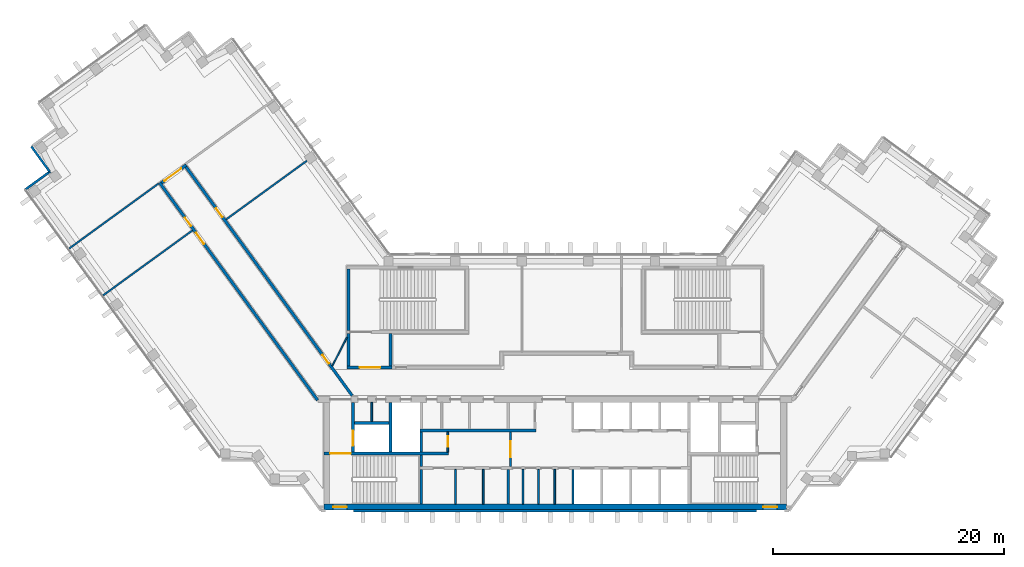
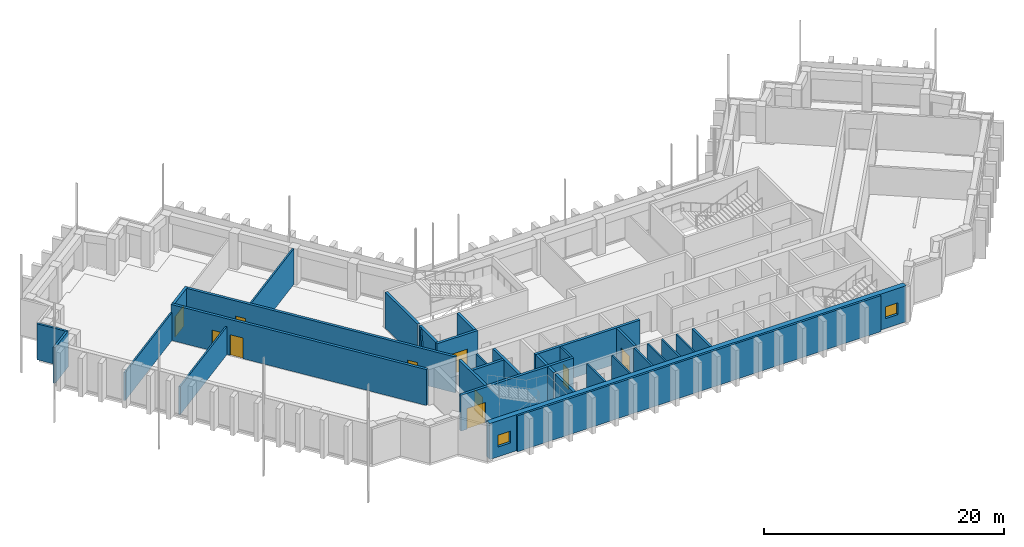
# One storey, part 7 of 12: 33 walls, 10 doors, 2 windows, 12 openings.
"""IFC4 building model written with IfcOpenShell, lengths in metres."""

from ifc_helpers import new_model, si_unit, direction, frame, frame_2d, origin, place, context, subcontext, project, spatial, rectangle, extrude, material, layer, layer_set, type_object, element, fill, save


model = new_model("IFC4")

# Units and contexts
model_context = context("Model", 3, precision=1e-05, world=origin(), true_north=direction((0.0, 1.0)))
body_context = subcontext(model_context, "Body", "Model", "MODEL_VIEW")
ifc_project = project(units=[si_unit("LENGTHUNIT", "METRE"), si_unit("AREAUNIT", "SQUARE_METRE"), si_unit("VOLUMEUNIT", "CUBIC_METRE"), si_unit("PLANEANGLEUNIT", "RADIAN"), si_unit("MASSUNIT", "GRAM", prefix="KILO")], contexts=[model_context])

# Site, building, storey
site_placement = place(None, origin())
site = spatial("IfcSite", under=ifc_project, at=site_placement, CompositionType="ELEMENT")
building_placement = place(site_placement, origin())
building = spatial("IfcBuilding", under=site, at=building_placement, Name="Quipu Civic Tower", CompositionType="ELEMENT")
storey_placement = place(building_placement, frame((0.0, 0.0, 210.0)))
storey = spatial("IfcBuildingStorey", under=building, at=storey_placement, Name="L49", CompositionType="ELEMENT", Elevation=210.0)

# Walls
ifc_material_1 = material(Name="Double gypsum plasterboard with mineral wool")
ifc_layer_1 = layer(ifc_material_1, 0.14990234375)
ifc_layer_set_1 = layer_set([ifc_layer_1], Name="Double gypsum plasterboard with mineral wool")
wall_type_1 = type_object("IfcWallType", Name="Acoustic partition 150 plasterboard", PredefinedType="PARTITIONING", material=ifc_layer_set_1)
wall_1_placement = place(storey_placement, frame((-21.46337890625, 19.189697265625, 0.0), z_axis=(0.0, 0.0, 1.0), x_axis=(-0.808993678379, -0.58781734267, 0.0)))
element("IfcWall", 1, at=wall_1_placement, inside=storey, type_object=wall_type_1, Name="Partition P03", PredefinedType="PARTITIONING", context=body_context, shape_type="SweptSolid", body=[
    extrude(rectangle(XDim=8.645263671875, YDim=0.14990234375, at=frame_2d((4.32275390625, 0.0))), origin(), (0.0, 0.0, 1.0), 3.64990234375),
])
for number, where, z_axis, x_axis, name in (
    (2, (-31.356201171875, 13.163818359375, 0.0), (0.0, 0.0, 1.0), (-0.809102944047, -0.587666934526, 0.0), "Partition P05"),
    (3, (-34.29833984375, 17.212890625, 0.0), (0.0, 0.0, 1.0), (-0.80898585166, -0.587828114175, 0.0), "Partition P07"),
):
    element("IfcWall", number, at=place(storey_placement, frame(where, z_axis=z_axis, x_axis=x_axis)), inside=storey, type_object=wall_type_1, Name=name, PredefinedType="PARTITIONING", context=body_context, shape_type="SweptSolid", body=[
        extrude(rectangle(XDim=9.550048828125, YDim=0.14990234375, at=frame_2d((4.77490234375, 0.0))), origin(), (0.0, 0.0, 1.0), 2.85009765625),
    ])
ifc_material_2 = material(Name="Concrete C70/85", Category="concrete")
ifc_layer_2 = layer(ifc_material_2, 0.25)
ifc_layer_set_2 = layer_set([ifc_layer_2], Name="Concrete C70/85")
wall_type_2 = type_object("IfcWallType", Name="Core wall 250", PredefinedType="SHEAR", material=ifc_layer_set_2)
wall_2_placement = place(storey_placement, frame((-11.574951171875, -10.5, 0.0), z_axis=(0.0, 0.0, 1.0), x_axis=(0.0, 1.0, 0.0)))
element("IfcWall", 4, at=wall_2_placement, inside=storey, type_object=wall_type_2, Name="Core wall", PredefinedType="SHEAR", context=body_context, shape_type="SweptSolid", body=[
    extrude(rectangle(XDim=3.0, YDim=0.25, at=frame_2d((1.5, 0.0))), origin(), (0.0, 0.0, 1.0), 3.64990234375),
])
wall_3_placement = place(storey_placement, frame((-11.574951171875, -7.25, 0.0), z_axis=(0.0, 0.0, 1.0), x_axis=(0.0, 1.0, 0.0)))
element("IfcWall", 5, at=wall_3_placement, inside=storey, type_object=wall_type_2, Name="Core wall", PredefinedType="SHEAR", context=body_context, shape_type="SweptSolid", body=[
    extrude(rectangle(XDim=1.0, YDim=0.25, at=frame_2d((0.5, 0.0))), origin(), (0.0, 0.0, 1.0), 3.64990234375),
])

# Wall, opening, door
wall_4_placement = place(storey_placement, frame((-9.199951171875, -6.125, 0.0), z_axis=(0.0, 0.0, 1.0), x_axis=(-1.0, 0.0, 0.0)))
wall_4 = element("IfcWall", 6, at=wall_4_placement, inside=storey, type_object=wall_type_2, Name="Core wall", PredefinedType="SHEAR", context=body_context, shape_type="SweptSolid", body=[
    extrude(rectangle(XDim=10.800048828125, YDim=0.25, at=frame_2d((5.39990234375, 0.0))), origin(), (0.0, 0.0, 1.0), 3.64990234375),
])
opening_1_placement = place(wall_4_placement, frame((8.449951171875, 0.0, 0.0)))
opening_1 = element("IfcOpeningElement", 7, at=opening_1_placement, cuts=wall_4, Name="Opening CD-08", PredefinedType="OPENING", context=body_context, shape_type="SweptSolid", body=[
    extrude(rectangle(XDim=1.800048828125, YDim=2.10009765625, at=frame_2d((0.89990234375, 1.050048828125))), frame((0.0, 0.135009765625, 0.0), z_axis=(0.0, -1.0, 0.0), x_axis=(1.0, 0.0, 0.0)), (0.0, 0.0, 1.0), 0.27001953125),
])
ifc_material_3 = material(Name="Fire rated steel door", Category="steel")
door_type_1 = type_object("IfcDoorType", Name="Fire door FD90 double 1800 x 2100", OperationType="NOTDEFINED", PredefinedType="DOOR", material=ifc_material_3)
door_1_placement = place(opening_1_placement, origin())
door_1 = element("IfcDoor", 8, at=door_1_placement, inside=storey, type_object=door_type_1, Name="Door", OperationType="DOUBLE_DOOR_SINGLE_SWING", OverallHeight=2.10009765625, OverallWidth=1.800048828125, PredefinedType="DOOR", context=body_context, shape_type="SweptSolid", body=[
    extrude(rectangle(XDim=1.800048828125, YDim=2.10009765625, at=frame_2d((0.89990234375, 1.050048828125))), frame((0.0, 0.02490234375, 0.0), z_axis=(0.0, -1.0, 0.0), x_axis=(1.0, 0.0, 0.0)), (0.0, 0.0, 1.0), 0.050048828125),
])
fill(opening_1, door_1)

wall_5_placement = place(storey_placement, frame((-17.47509765625, -6.0, 0.0), z_axis=(0.0, 0.0, 1.0), x_axis=(0.0, 1.0, 0.0)))
wall_5 = element("IfcWall", 9, at=wall_5_placement, inside=storey, type_object=wall_type_2, Name="Core wall", PredefinedType="SHEAR", context=body_context, shape_type="SweptSolid", body=[
    extrude(rectangle(XDim=4.300048828125, YDim=0.25, at=frame_2d((2.14990234375, 0.0))), origin(), (0.0, 0.0, 1.0), 3.64990234375),
])
opening_2_placement = place(wall_5_placement, frame((0.550048828125, 0.0, 0.0)))
opening_2 = element("IfcOpeningElement", 10, at=opening_2_placement, cuts=wall_5, Name="Opening LD-FF1", PredefinedType="OPENING", context=body_context, shape_type="SweptSolid", body=[
    extrude(rectangle(XDim=1.300048828125, YDim=2.10009765625, at=frame_2d((0.64990234375, 1.050048828125))), frame((0.0, 0.135009765625, 0.0), z_axis=(0.0, -1.0, 0.0), x_axis=(1.0, 0.0, 0.0)), (0.0, 0.0, 1.0), 0.27001953125),
])
ifc_material_4 = material(Name="Stainless steel", Category="steel")
door_type_2 = type_object("IfcDoorType", Name="Lift landing door 1300 x 2100", OperationType="DOUBLE_DOOR_SLIDING", PredefinedType="DOOR", material=ifc_material_4)
door_2_placement = place(opening_2_placement, origin())
door_2 = element("IfcDoor", 11, at=door_2_placement, inside=storey, type_object=door_type_2, Name="Landing door FF1", OperationType="DOUBLE_DOOR_SLIDING", OverallHeight=2.10009765625, OverallWidth=1.300048828125, PredefinedType="DOOR", context=body_context, shape_type="SweptSolid", body=[
    extrude(rectangle(XDim=1.300048828125, YDim=2.10009765625, at=frame_2d((0.64990234375, 1.050048828125))), frame((0.0, 0.02490234375, 0.0), z_axis=(0.0, -1.0, 0.0), x_axis=(1.0, 0.0, 0.0)), (0.0, 0.0, 1.0), 0.050048828125),
])
fill(opening_2, door_2)

# Walls
wall_6_placement = place(storey_placement, frame((-14.22509765625, -6.0, 0.0), z_axis=(0.0, 0.0, 1.0), x_axis=(0.0, 1.0, 0.0)))
element("IfcWall", 12, at=wall_6_placement, inside=storey, type_object=wall_type_2, Name="Core wall", PredefinedType="SHEAR", context=body_context, shape_type="SweptSolid", body=[
    extrude(rectangle(XDim=4.300048828125, YDim=0.25, at=frame_2d((2.14990234375, 0.0))), origin(), (0.0, 0.0, 1.0), 3.64990234375),
])
wall_7_placement = place(storey_placement, frame((-11.574951171875, -6.0, 0.0), z_axis=(0.0, 0.0, 1.0), x_axis=(0.0, 1.0, 0.0)))
element("IfcWall", 13, at=wall_7_placement, inside=storey, type_object=wall_type_2, Name="Core wall", PredefinedType="SHEAR", context=body_context, shape_type="SweptSolid", body=[
    extrude(rectangle(XDim=1.75, YDim=0.25, at=frame_2d((0.875, 0.0))), origin(), (0.0, 0.0, 1.0), 3.64990234375),
])
wall_8_placement = place(storey_placement, frame((-11.699951171875, -4.125, 0.0), z_axis=(0.0, 0.0, 1.0), x_axis=(1.0, 0.0, 0.0)))
element("IfcWall", 14, at=wall_8_placement, inside=storey, type_object=wall_type_2, Name="Core wall", PredefinedType="SHEAR", context=body_context, shape_type="SweptSolid", body=[
    extrude(rectangle(XDim=10.050048828125, YDim=0.25, at=frame_2d((5.02490234375, 0.0))), origin(), (0.0, 0.0, 1.0), 3.64990234375),
])
wall_9_placement = place(storey_placement, frame((-17.35009765625, -3.47509765625, 0.0), z_axis=(0.0, 0.0, 1.0), x_axis=(1.0, 0.0, 0.0)))
element("IfcWall", 15, at=wall_9_placement, inside=storey, type_object=wall_type_2, Name="Core wall", PredefinedType="SHEAR", context=body_context, shape_type="SweptSolid", body=[
    extrude(rectangle(XDim=3.0, YDim=0.25, at=frame_2d((1.5, 0.0))), origin(), (0.0, 0.0, 1.0), 3.64990234375),
])

# Wall, opening, door
wall_10_placement = place(storey_placement, frame((-18.0, 1.324951171875, 0.0), z_axis=(0.0, 0.0, 1.0), x_axis=(1.0, 0.0, 0.0)))
wall_10 = element("IfcWall", 16, at=wall_10_placement, inside=storey, type_object=wall_type_2, Name="Core wall", PredefinedType="SHEAR", context=body_context, shape_type="SweptSolid", body=[
    extrude(rectangle(XDim=3.89990234375, YDim=0.25, at=frame_2d((1.949951171875, 0.0))), origin(), (0.0, 0.0, 1.0), 3.64990234375),
])
opening_3_placement = place(wall_10_placement, frame((1.10009765625, 0.0, 0.0)))
opening_3 = element("IfcOpeningElement", 17, at=opening_3_placement, cuts=wall_10, Name="Opening CD-24", PredefinedType="OPENING", context=body_context, shape_type="SweptSolid", body=[
    extrude(rectangle(XDim=1.800048828125, YDim=2.10009765625, at=frame_2d((0.89990234375, 1.050048828125))), frame((0.0, 0.135009765625, 0.0), z_axis=(0.0, -1.0, 0.0), x_axis=(1.0, 0.0, 0.0)), (0.0, 0.0, 1.0), 0.27001953125),
])
door_3_placement = place(opening_3_placement, origin())
door_3 = element("IfcDoor", 18, at=door_3_placement, inside=storey, type_object=door_type_1, Name="Lobby door", OperationType="DOUBLE_DOOR_SINGLE_SWING", OverallHeight=2.10009765625, OverallWidth=1.800048828125, PredefinedType="DOOR", context=body_context, shape_type="SweptSolid", body=[
    extrude(rectangle(XDim=1.800048828125, YDim=2.10009765625, at=frame_2d((0.89990234375, 1.050048828125))), frame((0.0, 0.02490234375, 0.0), z_axis=(0.0, -1.0, 0.0), x_axis=(1.0, 0.0, 0.0)), (0.0, 0.0, 1.0), 0.050048828125),
])
fill(opening_3, door_3)

# Walls
for number, where, z_axis, x_axis, name in (
    (19, (-17.875, 1.449951171875, 0.0), (0.0, 0.0, 1.0), (0.0, 1.0, 0.0), "Core wall"),
    (20, (-14.22509765625, 1.449951171875, 0.0), (0.0, 0.0, 1.0), (0.0, 1.0, 0.0), "Core wall"),
):
    element("IfcWall", number, at=place(storey_placement, frame(where, z_axis=z_axis, x_axis=x_axis)), inside=storey, type_object=wall_type_2, Name=name, PredefinedType="SHEAR", context=body_context, shape_type="SweptSolid", body=[
        extrude(rectangle(XDim=2.800048828125, YDim=0.25, at=frame_2d((1.39990234375, 0.0))), origin(), (0.0, 0.0, 1.0), 3.64990234375),
    ])
wall_11_placement = place(storey_placement, frame((-17.875, 4.5, 0.0), z_axis=(0.0, 0.0, 1.0), x_axis=(0.0, 1.0, 0.0)))
element("IfcWall", 21, at=wall_11_placement, inside=storey, type_object=wall_type_2, Name="Core wall", PredefinedType="SHEAR", context=body_context, shape_type="SweptSolid", body=[
    extrude(rectangle(XDim=5.35009765625, YDim=0.25, at=frame_2d((2.675048828125, 0.0))), origin(), (0.0, 0.0, 1.0), 3.64990234375),
])

# Wall, openings, windows
ifc_material_5 = material(Name="Concrete C70/85", Category="concrete")
ifc_layer_3 = layer(ifc_material_5, 0.5)
ifc_layer_set_3 = layer_set([ifc_layer_3], Name="Concrete C70/85")
wall_type_3 = type_object("IfcWallType", Name="Core wall 500", PredefinedType="SHEAR", material=ifc_layer_set_3)
wall_12_placement = place(storey_placement, frame((-20.0, -10.75, 0.0), z_axis=(0.0, 0.0, 1.0), x_axis=(1.0, 0.0, 0.0)))
wall_12 = element("IfcWall", 22, at=wall_12_placement, inside=storey, type_object=wall_type_3, Name="Core wall", PredefinedType="SHEAR", context=body_context, shape_type="SweptSolid", body=[
    extrude(rectangle(XDim=40.0, YDim=0.5, at=frame_2d((20.0, 0.0))), origin(), (0.0, 0.0, 1.0), 3.64990234375),
])
opening_4_placement = place(wall_12_placement, frame((0.800048828125, 0.0, 1.0)))
opening_4 = element("IfcOpeningElement", 23, at=opening_4_placement, cuts=wall_12, Name="Opening SV-1", PredefinedType="OPENING", context=body_context, shape_type="SweptSolid", body=[
    extrude(rectangle(XDim=1.199951171875, YDim=1.199951171875, at=frame_2d((0.60009765625, 0.60009765625))), frame((0.0, 0.260009765625, 0.0), z_axis=(0.0, -1.0, 0.0), x_axis=(1.0, 0.0, 0.0)), (0.0, 0.0, 1.0), 0.52001953125),
])
opening_5_placement = place(wall_12_placement, frame((38.0, 0.0, 1.0)))
opening_5 = element("IfcOpeningElement", 24, at=opening_5_placement, cuts=wall_12, Name="Opening SV-2", PredefinedType="OPENING", context=body_context, shape_type="SweptSolid", body=[
    extrude(rectangle(XDim=1.199951171875, YDim=1.199951171875, at=frame_2d((0.60009765625, 0.60009765625))), frame((0.0, 0.260009765625, 0.0), z_axis=(0.0, -1.0, 0.0), x_axis=(1.0, 0.0, 0.0)), (0.0, 0.0, 1.0), 0.52001953125),
])
ifc_material_6 = material(Name="Aluminium louvre", Category="aluminium")
window_type = type_object("IfcWindowType", Name="Stair ventilation louvre 1200 x 1200", PartitioningType="SINGLE_PANEL", PredefinedType="WINDOW", material=ifc_material_6)
window_1_placement = place(opening_4_placement, origin())
window_1 = element("IfcWindow", 25, at=window_1_placement, inside=storey, type_object=window_type, Name="Stair ventilation opening", OverallHeight=1.199951171875, OverallWidth=1.199951171875, PartitioningType="SINGLE_PANEL", PredefinedType="WINDOW", context=body_context, shape_type="SweptSolid", body=[
    extrude(rectangle(XDim=1.199951171875, YDim=1.199951171875, at=frame_2d((0.60009765625, 0.60009765625))), frame((0.0, 0.030029296875, 0.0), z_axis=(0.0, -1.0, 0.0), x_axis=(1.0, 0.0, 0.0)), (0.0, 0.0, 1.0), 0.06005859375),
])
fill(opening_4, window_1)
window_2_placement = place(opening_5_placement, origin())
window_2 = element("IfcWindow", 26, at=window_2_placement, inside=storey, type_object=window_type, Name="Stair ventilation opening", OverallHeight=1.199951171875, OverallWidth=1.199951171875, PartitioningType="SINGLE_PANEL", PredefinedType="WINDOW", context=body_context, shape_type="SweptSolid", body=[
    extrude(rectangle(XDim=1.199951171875, YDim=1.199951171875, at=frame_2d((0.60009765625, 0.60009765625))), frame((0.0, 0.030029296875, 0.0), z_axis=(0.0, -1.0, 0.0), x_axis=(1.0, 0.0, 0.0)), (0.0, 0.0, 1.0), 0.06005859375),
])
fill(opening_5, window_2)

# Wall, openings, doors
ifc_material_7 = material(Name="Concrete C50/60", Category="concrete")
ifc_layer_4 = layer(ifc_material_7, 0.25)
ifc_layer_set_4 = layer_set([ifc_layer_4], Name="Concrete C50/60")
wall_type_4 = type_object("IfcWallType", Name="Corridor wall 250 concrete", PredefinedType="SOLIDWALL", material=ifc_layer_set_4)
wall_13_placement = place(storey_placement, frame((-20.531005859375, -1.5234375, 0.0), z_axis=(0.0, 0.0, 1.0), x_axis=(-0.587784239999, 0.809017729849, 0.0)))
wall_13 = element("IfcWall", 27, at=wall_13_placement, inside=storey, type_object=wall_type_4, Name="Corridor wall C04", PredefinedType="SOLIDWALL", context=body_context, shape_type="SweptSolid", body=[
    extrude(rectangle(XDim=23.2705078125, YDim=0.25, at=frame_2d((11.63525390625, 0.0))), origin(), (0.0, 0.0, 1.0), 3.64990234375),
])
opening_6_placement = place(wall_13_placement, frame((16.7158203125, 0.0, 0.0)))
opening_6 = element("IfcOpeningElement", 28, at=opening_6_placement, cuts=wall_13, Name="Opening D011", PredefinedType="OPENING", context=body_context, shape_type="SweptSolid", body=[
    extrude(rectangle(XDim=1.199951171875, YDim=2.10009765625, at=frame_2d((0.60009765625, 1.050048828125))), frame((0.0, 0.135009765625, 0.0), z_axis=(0.0, -1.0, 0.0), x_axis=(1.0, 0.0, 0.0)), (0.0, 0.0, 1.0), 0.27001953125),
])
opening_7_placement = place(wall_13_placement, frame((18.6162109375, 0.0, 0.0)))
opening_7 = element("IfcOpeningElement", 29, at=opening_7_placement, cuts=wall_13, Name="Opening D010", PredefinedType="OPENING", context=body_context, shape_type="SweptSolid", body=[
    extrude(rectangle(XDim=0.89990234375, YDim=2.10009765625, at=frame_2d((0.449951171875, 1.050048828125))), frame((0.0, 0.135009765625, 0.0), z_axis=(0.0, -1.0, 0.0), x_axis=(1.0, 0.0, 0.0)), (0.0, 0.0, 1.0), 0.27001953125),
])
ifc_material_8 = material(Name="Fire rated timber door set with metal frame", Category="wood")
door_type_3 = type_object("IfcDoorType", Name="Single door 1200 x 2100 FD60", OperationType="NOTDEFINED", PredefinedType="DOOR", material=ifc_material_8)
door_4_placement = place(opening_6_placement, origin())
door_4 = element("IfcDoor", 30, at=door_4_placement, inside=storey, type_object=door_type_3, Name="Door D011", OperationType="SINGLE_SWING_RIGHT", OverallHeight=2.10009765625, OverallWidth=1.199951171875, PredefinedType="DOOR", context=body_context, shape_type="SweptSolid", body=[
    extrude(rectangle(XDim=1.199951171875, YDim=2.10009765625, at=frame_2d((0.60009765625, 1.050048828125))), frame((0.0, 0.02490234375, 0.0), z_axis=(0.0, -1.0, 0.0), x_axis=(1.0, 0.0, 0.0)), (0.0, 0.0, 1.0), 0.050048828125),
])
fill(opening_6, door_4)
ifc_material_9 = material(Name="Fire rated timber door set with metal frame", Category="wood")
door_type_4 = type_object("IfcDoorType", Name="Single door 900 x 2100 FD60", OperationType="NOTDEFINED", PredefinedType="DOOR", material=ifc_material_9)
door_5_placement = place(opening_7_placement, origin())
door_5 = element("IfcDoor", 31, at=door_5_placement, inside=storey, type_object=door_type_4, Name="Door D010", OperationType="SINGLE_SWING_LEFT", OverallHeight=2.10009765625, OverallWidth=0.89990234375, PredefinedType="DOOR", context=body_context, shape_type="SweptSolid", body=[
    extrude(rectangle(XDim=0.89990234375, YDim=2.10009765625, at=frame_2d((0.449951171875, 1.050048828125))), frame((0.0, 0.02490234375, 0.0), z_axis=(0.0, -1.0, 0.0), x_axis=(1.0, 0.0, 0.0)), (0.0, 0.0, 1.0), 0.050048828125),
])
fill(opening_7, door_5)

# Wall, opening, door
wall_14_placement = place(storey_placement, frame((-34.0341796875, 17.275146484375, 0.0), z_axis=(0.0, 0.0, 1.0), x_axis=(0.809006914995, 0.587799125119, 0.0)))
wall_14 = element("IfcWall", 32, at=wall_14_placement, inside=storey, type_object=wall_type_4, Name="Corridor wall C05", PredefinedType="SOLIDWALL", context=body_context, shape_type="SweptSolid", body=[
    extrude(rectangle(XDim=2.64990234375, YDim=0.25, at=frame_2d((1.324951171875, 0.0))), origin(), (0.0, 0.0, 1.0), 3.64990234375),
])
opening_8_placement = place(wall_14_placement, frame((0.30029296875, 0.0, 0.0)))
opening_8 = element("IfcOpeningElement", 33, at=opening_8_placement, cuts=wall_14, Name="Opening D012", PredefinedType="OPENING", context=body_context, shape_type="SweptSolid", body=[
    extrude(rectangle(XDim=1.800048828125, YDim=2.10009765625, at=frame_2d((0.89990234375, 1.050048828125))), frame((0.0, 0.135009765625, 0.0), z_axis=(0.0, -1.0, 0.0), x_axis=(1.0, 0.0, 0.0)), (0.0, 0.0, 1.0), 0.27001953125),
])
ifc_material_10 = material(Name="Fire rated timber door set with metal frame", Category="wood")
door_type_5 = type_object("IfcDoorType", Name="Double door 1800 x 2100 FD60", OperationType="DOUBLE_DOOR_SINGLE_SWING", PredefinedType="DOOR", material=ifc_material_10)
door_6_placement = place(opening_8_placement, origin())
door_6 = element("IfcDoor", 34, at=door_6_placement, inside=storey, type_object=door_type_5, Name="Door D012", OperationType="DOUBLE_DOOR_SINGLE_SWING", OverallHeight=2.10009765625, OverallWidth=1.800048828125, PredefinedType="DOOR", context=body_context, shape_type="SweptSolid", body=[
    extrude(rectangle(XDim=1.800048828125, YDim=2.10009765625, at=frame_2d((0.89990234375, 1.050048828125))), frame((0.0, 0.02490234375, 0.0), z_axis=(0.0, -1.0, 0.0), x_axis=(1.0, 0.0, 0.0)), (0.0, 0.0, 1.0), 0.050048828125),
])
fill(opening_8, door_6)

# Wall, openings, doors
wall_15_placement = place(storey_placement, frame((-31.918212890625, 18.658203125, 0.0), z_axis=(0.0, 0.0, 1.0), x_axis=(0.587788731405, -0.80901446664, 0.0)))
wall_15 = element("IfcWall", 35, at=wall_15_placement, inside=storey, type_object=wall_type_4, Name="Corridor wall C06", PredefinedType="SOLIDWALL", context=body_context, shape_type="SweptSolid", body=[
    extrude(rectangle(XDim=24.453125, YDim=0.25, at=frame_2d((12.2265625, 0.0))), origin(), (0.0, 0.0, 1.0), 3.64990234375),
])
opening_9_placement = place(wall_15_placement, frame((20.111572265625, 0.0, 0.0)))
opening_9 = element("IfcOpeningElement", 36, at=opening_9_placement, cuts=wall_15, Name="Opening D009", PredefinedType="OPENING", context=body_context, shape_type="SweptSolid", body=[
    extrude(rectangle(XDim=0.89990234375, YDim=2.10009765625, at=frame_2d((0.449951171875, 1.050048828125))), frame((0.0, 0.135009765625, 0.0), z_axis=(0.0, -1.0, 0.0), x_axis=(1.0, 0.0, 0.0)), (0.0, 0.0, 1.0), 0.27001953125),
])
opening_10_placement = place(wall_15_placement, frame((4.4453125, 0.0, 0.0)))
opening_10 = element("IfcOpeningElement", 37, at=opening_10_placement, cuts=wall_15, Name="Opening D008", PredefinedType="OPENING", context=body_context, shape_type="SweptSolid", body=[
    extrude(rectangle(XDim=0.89990234375, YDim=2.10009765625, at=frame_2d((0.449951171875, 1.050048828125))), frame((0.0, 0.135009765625, 0.0), z_axis=(0.0, -1.0, 0.0), x_axis=(1.0, 0.0, 0.0)), (0.0, 0.0, 1.0), 0.27001953125),
])
door_7_placement = place(opening_9_placement, origin())
door_7 = element("IfcDoor", 38, at=door_7_placement, inside=storey, type_object=door_type_4, Name="Door D009", OperationType="SINGLE_SWING_RIGHT", OverallHeight=2.10009765625, OverallWidth=0.89990234375, PredefinedType="DOOR", context=body_context, shape_type="SweptSolid", body=[
    extrude(rectangle(XDim=0.89990234375, YDim=2.10009765625, at=frame_2d((0.449951171875, 1.050048828125))), frame((0.0, 0.02490234375, 0.0), z_axis=(0.0, -1.0, 0.0), x_axis=(1.0, 0.0, 0.0)), (0.0, 0.0, 1.0), 0.050048828125),
])
fill(opening_9, door_7)
door_8_placement = place(opening_10_placement, origin())
door_8 = element("IfcDoor", 39, at=door_8_placement, inside=storey, type_object=door_type_4, Name="Door D008", OperationType="SINGLE_SWING_RIGHT", OverallHeight=2.10009765625, OverallWidth=0.89990234375, PredefinedType="DOOR", context=body_context, shape_type="SweptSolid", body=[
    extrude(rectangle(XDim=0.89990234375, YDim=2.10009765625, at=frame_2d((0.449951171875, 1.050048828125))), frame((0.0, 0.02490234375, 0.0), z_axis=(0.0, -1.0, 0.0), x_axis=(1.0, 0.0, 0.0)), (0.0, 0.0, 1.0), 0.050048828125),
])
fill(opening_10, door_8)

# Walls
ifc_material_11 = material(Name="Gypsum plasterboard on light gauge framing")
ifc_layer_5 = layer(ifc_material_11, 0.1201171875)
ifc_layer_set_5 = layer_set([ifc_layer_5], Name="Gypsum plasterboard on light gauge framing")
wall_type_5 = type_object("IfcWallType", Name="Partition 120 plasterboard", PredefinedType="PARTITIONING", material=ifc_layer_set_5)
wall_16_placement = place(storey_placement, frame((-19.260986328125, 1.449951171875, 0.0), z_axis=(0.0, 0.0, 1.0), x_axis=(0.453950796792, 0.891026752736, 0.0)))
element("IfcWall", 40, at=wall_16_placement, inside=storey, type_object=wall_type_5, Name="Partition P10", PredefinedType="PARTITIONING", context=body_context, shape_type="SweptSolid", body=[
    extrude(rectangle(XDim=2.77783203125, YDim=0.1201171875, at=frame_2d((1.388916015625, 0.0))), origin(), (0.0, 0.0, 1.0), 3.64990234375),
])
ifc_material_12 = material(Name="Gypsum board partition")
ifc_layer_6 = layer(ifc_material_12, 0.14990234375)
ifc_layer_set_6 = layer_set([ifc_layer_6], Name="Gypsum board partition")
wall_type_6 = type_object("IfcWallType", Name="Partition 150", PredefinedType="PARTITIONING", material=ifc_layer_set_6)
for number, where, z_axis, x_axis, name in (
    (41, (-8.60009765625, -10.5, 0.0), (0.0, 0.0, 1.0), (0.0, 1.0, 0.0), "Partition"),
    (42, (-6.199951171875, -10.5, 0.0), (0.0, 0.0, 1.0), (0.0, 1.0, 0.0), "Partition"),
    (43, (-2.77490234375, -10.5, 0.0), (0.0, 0.0, 1.0), (0.0, 1.0, 0.0), "Partition"),
    (44, (-1.425048828125, -10.5, 0.0), (0.0, 0.0, 1.0), (0.0, 1.0, 0.0), "Partition"),
    (45, (-0.02490234375, -10.5, 0.0), (0.0, 0.0, 1.0), (0.0, 1.0, 0.0), "Partition"),
):
    element("IfcWall", number, at=place(storey_placement, frame(where, z_axis=z_axis, x_axis=x_axis)), inside=storey, type_object=wall_type_6, Name=name, PredefinedType="PARTITIONING", context=body_context, shape_type="SweptSolid", body=[
        extrude(rectangle(XDim=3.0, YDim=0.14990234375, at=frame_2d((1.5, 0.0))), origin(), (0.0, 0.0, 1.0), 3.64990234375),
    ])

# Wall, opening, door
wall_17_placement = place(storey_placement, frame((-9.27490234375, -4.25, 0.0), z_axis=(0.0, 0.0, 1.0), x_axis=(0.0, -1.0, 0.0)))
wall_17 = element("IfcWall", 46, at=wall_17_placement, inside=storey, type_object=wall_type_6, Name="Partition", PredefinedType="PARTITIONING", context=body_context, shape_type="SweptSolid", body=[
    extrude(rectangle(XDim=1.75, YDim=0.14990234375, at=frame_2d((0.875, 0.0))), origin(), (0.0, 0.0, 1.0), 3.64990234375),
])
opening_11_placement = place(wall_17_placement, frame((0.39990234375, 0.0, 0.0)))
opening_11 = element("IfcOpeningElement", 47, at=opening_11_placement, cuts=wall_17, Name="Opening CD-11", PredefinedType="OPENING", context=body_context, shape_type="SweptSolid", body=[
    extrude(rectangle(XDim=0.89990234375, YDim=2.10009765625, at=frame_2d((0.449951171875, 1.050048828125))), frame((0.0, 0.0849609375, 0.0), z_axis=(0.0, -1.0, 0.0), x_axis=(1.0, 0.0, 0.0)), (0.0, 0.0, 1.0), 0.169921875),
])
ifc_material_13 = material(Name="Fire rated steel door", Category="steel")
door_type_6 = type_object("IfcDoorType", Name="Fire door FD60 900 x 2100", OperationType="NOTDEFINED", PredefinedType="DOOR", material=ifc_material_13)
door_9_placement = place(opening_11_placement, origin())
door_9 = element("IfcDoor", 48, at=door_9_placement, inside=storey, type_object=door_type_6, Name="Door", OperationType="SINGLE_SWING_LEFT", OverallHeight=2.10009765625, OverallWidth=0.89990234375, PredefinedType="DOOR", context=body_context, shape_type="SweptSolid", body=[
    extrude(rectangle(XDim=0.89990234375, YDim=2.10009765625, at=frame_2d((0.449951171875, 1.050048828125))), frame((0.0, 0.02490234375, 0.0), z_axis=(0.0, -1.0, 0.0), x_axis=(1.0, 0.0, 0.0)), (0.0, 0.0, 1.0), 0.050048828125),
])
fill(opening_11, door_9)

# Walls
wall_18_placement = place(storey_placement, frame((-15.85009765625, -3.35009765625, 0.0), z_axis=(0.0, 0.0, 1.0), x_axis=(0.0, 1.0, 0.0)))
element("IfcWall", 49, at=wall_18_placement, inside=storey, type_object=wall_type_6, Name="Partition", PredefinedType="PARTITIONING", context=body_context, shape_type="SweptSolid", body=[
    extrude(rectangle(XDim=1.650146484375, YDim=0.14990234375, at=frame_2d((0.8251953125, 0.0))), origin(), (0.0, 0.0, 1.0), 3.64990234375),
])
ifc_material_14 = material(Name="Precast concrete C40/50", Category="concrete")
wall_type_7 = type_object("IfcWallType", Name="Precast cladding wall", PredefinedType="SOLIDWALL", material=ifc_material_14)
for number, where, z_axis, x_axis, name in (
    (50, (-45.29638671875, 20.43359375, 0.0), (0.0, 0.0, 1.0), (0.587762999008, -0.809033161865, 0.0), "Precast cladding wall L49 P12"),
    (51, (-43.658203125, 18.271728515625, 0.0), (0.0, 0.0, 1.0), (-0.808958916286, -0.58786518162, 0.0), "Precast cladding wall L49 P13"),
):
    element("IfcWall", number, at=place(storey_placement, frame(where, z_axis=z_axis, x_axis=x_axis)), inside=storey, type_object=wall_type_7, Name=name, PredefinedType="SOLIDWALL", context=body_context, shape_type="SweptSolid", body=[
        extrude(rectangle(XDim=2.699951171875, YDim=0.199951171875, at=frame_2d((1.35009765625, 0.0))), origin(), (0.0, 0.0, 1.0), 3.64990234375),
    ])
wall_19_placement = place(storey_placement, frame((-17.44384765625, -11.087890625, 0.0), z_axis=(0.0, 0.0, 1.0), x_axis=(1.0, 0.0, 0.0)))
element("IfcWall", 52, at=wall_19_placement, inside=storey, type_object=wall_type_7, Name="Precast cladding wall L49 P20", PredefinedType="SOLIDWALL", context=body_context, shape_type="SweptSolid", body=[
    extrude(rectangle(XDim=34.8876953125, YDim=0.199951171875, at=frame_2d((17.44384765625, 0.0))), origin(), (0.0, 0.0, 1.0), 3.64990234375),
])
ifc_material_15 = material(Name="Concrete C40/50", Category="concrete")
ifc_layer_7 = layer(ifc_material_15, 0.199951171875)
ifc_layer_set_7 = layer_set([ifc_layer_7], Name="Concrete C40/50")
wall_type_8 = type_object("IfcWallType", Name="Shaft wall 200", PredefinedType="SOLIDWALL", material=ifc_layer_set_7)
for number, where, z_axis, x_axis, name in (
    (53, (-4.050048828125, -10.5, 0.0), (0.0, 0.0, 1.0), (0.0, 1.0, 0.0), "Shaft wall"),
    (54, (1.550048828125, -10.5, 0.0), (0.0, 0.0, 1.0), (0.0, 1.0, 0.0), "Shaft wall"),
):
    element("IfcWall", number, at=place(storey_placement, frame(where, z_axis=z_axis, x_axis=x_axis)), inside=storey, type_object=wall_type_8, Name=name, PredefinedType="SOLIDWALL", context=body_context, shape_type="SweptSolid", body=[
        extrude(rectangle(XDim=3.0, YDim=0.199951171875, at=frame_2d((1.5, 0.0))), origin(), (0.0, 0.0, 1.0), 3.64990234375),
    ])

# Wall, opening, door
wall_20_placement = place(storey_placement, frame((-3.85009765625, -4.25, 0.0), z_axis=(0.0, 0.0, 1.0), x_axis=(0.0, -1.0, 0.0)))
wall_20 = element("IfcWall", 55, at=wall_20_placement, inside=storey, type_object=wall_type_8, Name="Shaft wall", PredefinedType="SOLIDWALL", context=body_context, shape_type="SweptSolid", body=[
    extrude(rectangle(XDim=3.0, YDim=0.199951171875, at=frame_2d((1.5, 0.0))), origin(), (0.0, 0.0, 1.0), 3.64990234375),
])
opening_12_placement = place(wall_20_placement, frame((0.800048828125, 0.0, 0.0)))
opening_12 = element("IfcOpeningElement", 56, at=opening_12_placement, cuts=wall_20, Name="Opening CD-10", PredefinedType="OPENING", context=body_context, shape_type="SweptSolid", body=[
    extrude(rectangle(XDim=1.39990234375, YDim=2.10009765625, at=frame_2d((0.699951171875, 1.050048828125))), frame((0.0, 0.10986328125, 0.0), z_axis=(0.0, -1.0, 0.0), x_axis=(1.0, 0.0, 0.0)), (0.0, 0.0, 1.0), 0.219970703125),
])
ifc_material_16 = material(Name="Fire rated steel door", Category="steel")
door_type_7 = type_object("IfcDoorType", Name="Fire door FD60 double 1400 x 2100", OperationType="NOTDEFINED", PredefinedType="DOOR", material=ifc_material_16)
door_10_placement = place(opening_12_placement, origin())
door_10 = element("IfcDoor", 57, at=door_10_placement, inside=storey, type_object=door_type_7, Name="Hall door", OperationType="DOUBLE_DOOR_SINGLE_SWING", OverallHeight=2.10009765625, OverallWidth=1.39990234375, PredefinedType="DOOR", context=body_context, shape_type="SweptSolid", body=[
    extrude(rectangle(XDim=1.39990234375, YDim=2.10009765625, at=frame_2d((0.699951171875, 1.050048828125))), frame((0.0, 0.02490234375, 0.0), z_axis=(0.0, -1.0, 0.0), x_axis=(1.0, 0.0, 0.0)), (0.0, 0.0, 1.0), 0.050048828125),
])
fill(opening_12, door_10)

save(model, "model.ifc")
